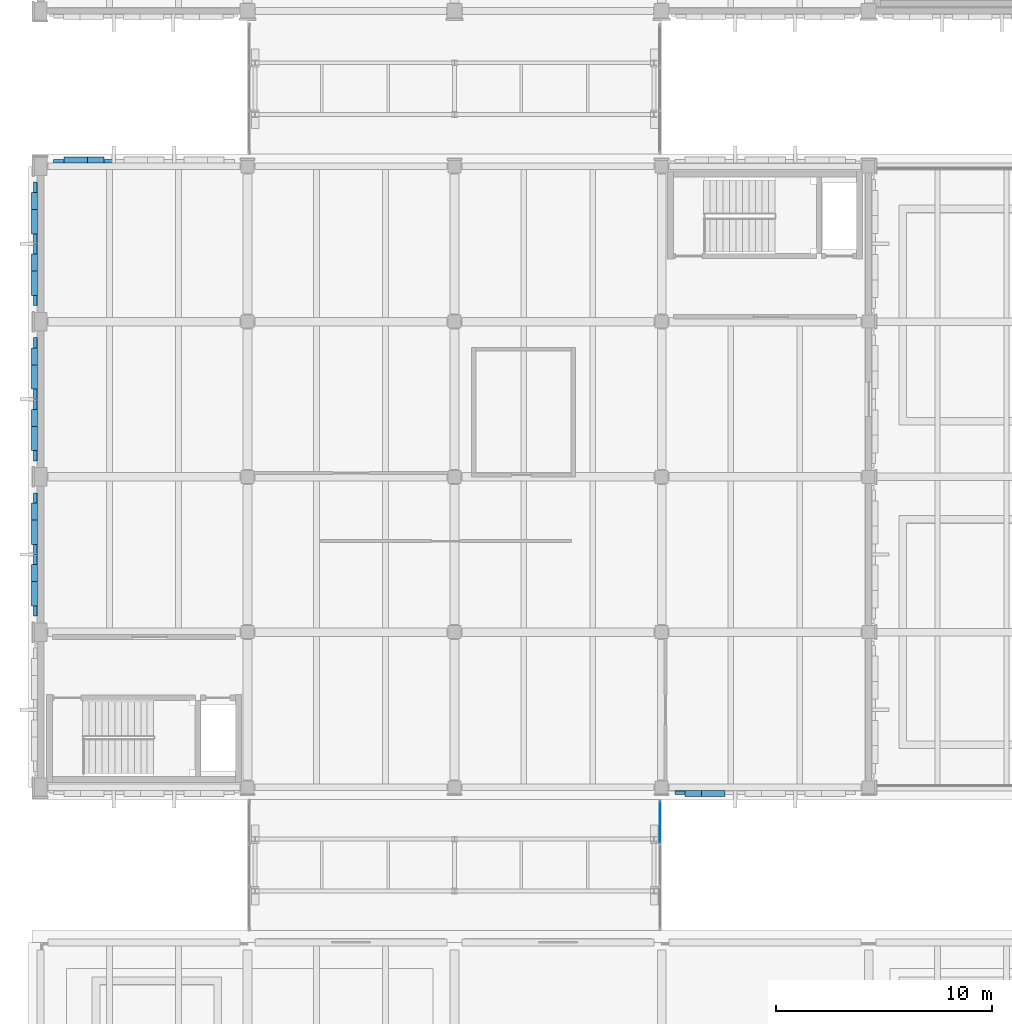
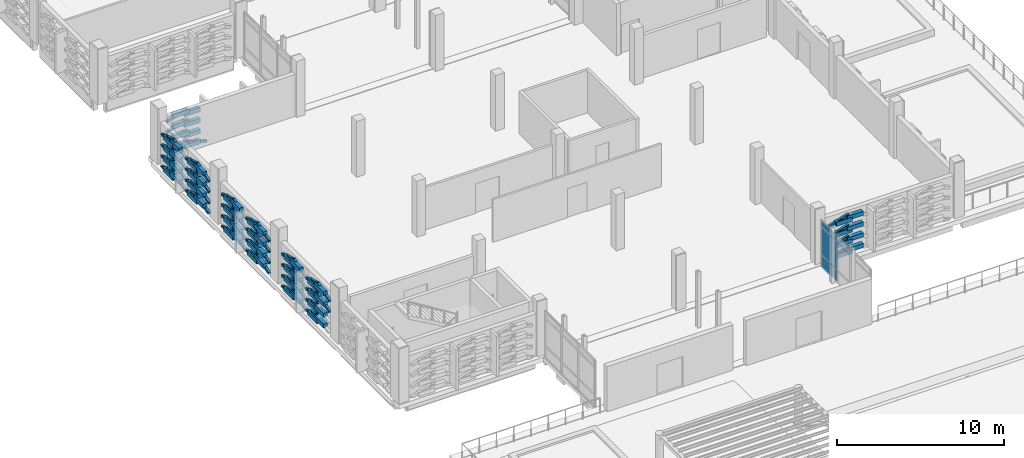
# One storey, part 90 of 134: 122 plates, 1 element without a shape of its own.
"""IFC4 building model written with IfcOpenShell, lengths in metres."""

from ifc_helpers import new_model, si_unit, direction, frame, origin, origin_2d, place, context, subcontext, project, spatial, rectangle, hollow_rectangle, extrude, material, layer, layer_set, material_profile, profile_set, type_object, element, aggregate, save


model = new_model("IFC4")

# Units and contexts
model_context = context("Model", 3, precision=1e-05, world=origin(), true_north=direction((0.0, 1.0)))
body_context = subcontext(model_context, "Body", "Model", "MODEL_VIEW")
ifc_project = project(units=[si_unit("LENGTHUNIT", "METRE"), si_unit("AREAUNIT", "SQUARE_METRE"), si_unit("VOLUMEUNIT", "CUBIC_METRE"), si_unit("PLANEANGLEUNIT", "RADIAN"), si_unit("MASSUNIT", "GRAM", prefix="KILO")], contexts=[model_context])

# Site, building, storey
site_placement = place(None, origin())
site = spatial("IfcSite", under=ifc_project, at=site_placement, CompositionType="ELEMENT")
building_placement = place(site_placement, origin())
building = spatial("IfcBuilding", under=site, at=building_placement, Name="Asteropetra Specialist Clinic", CompositionType="ELEMENT")
storey_placement = place(building_placement, frame((0.0, 0.0, 8.5)))
storey = spatial("IfcBuildingStorey", under=building, at=storey_placement, Name="L02", CompositionType="ELEMENT", Elevation=8.5)

# Plates
ifc_material_1 = material(Name="Chevron emerald aluminium 6063-T6", Category="aluminium")
ifc_material_profile = material_profile(ifc_material_1, hollow_rectangle(XDim=0.179931640625, YDim=0.179931640625, WallThickness=0.010009765625, InnerFilletRadius=0.008056640625, OuterFilletRadius=0.01611328125, at=origin_2d()), Name="SHS 180x180x10.0")
ifc_profile_set = profile_set([ifc_material_profile], Name="Chevron emerald aluminium 6063-T6")
plate_type_1 = type_object("IfcPlateType", Name="CHV-RIB-180", PredefinedType="SHEET", material=ifc_profile_set)
plate_1_placement = place(storey_placement, frame((3.38671875, 62.636962890625, 0.050048828125), z_axis=(-0.952488995782, 0.0, 0.304573000962), x_axis=(0.0, -1.0, 0.0)))
element("IfcPlate", 1, at=plate_1_placement, inside=storey, type_object=plate_type_1, Name="Chevron Facade Screen Fin CVR-1742", PredefinedType="SHEET", context=body_context, shape_type="SweptSolid", body=[
    extrude(hollow_rectangle(XDim=0.179931640625, YDim=0.179931640625, WallThickness=0.010009765625, InnerFilletRadius=0.008056640625, OuterFilletRadius=0.01611328125, at=origin_2d()), origin(), (0.0, 0.0, 1.0), 1.442138671875),
])
for number, where, z_axis, x_axis, name in (
    (2, (2.01318359375, 62.636962890625, 0.4892578125), (-0.952473286797, 0.0, -0.304622123191), (0.0, -1.0, 0.0), "Chevron Facade Screen Fin CVR-1743"),
    (3, (2.01318359375, 62.636962890625, 1.25927734375), (-0.952473286797, 0.0, -0.304622123191), (0.0, -1.0, 0.0), "Chevron Facade Screen Fin CVR-1745"),
    (4, (2.01318359375, 62.636962890625, 2.059326171875), (-0.952473286797, 0.0, -0.304622123191), (0.0, -1.0, 0.0), "Chevron Facade Screen Fin CVR-1747"),
    (5, (2.01318359375, 62.636962890625, 2.83935546875), (-0.952424147199, 0.0, -0.304775727104), (0.0, -1.0, 0.0), "Chevron Facade Screen Fin CVR-1749"),
    (6, (29.43994140625, 33.363037109375, 0.050048828125), (0.952473286797, 0.0, 0.304622123191), (0.0, 1.0, 0.0), "Chevron Facade Screen Fin CVR-1750"),
    (7, (29.43994140625, 33.363037109375, 0.820068359375), (0.952473286797, 0.0, 0.304622123191), (0.0, 1.0, 0.0), "Chevron Facade Screen Fin CVR-1752"),
    (8, (29.43994140625, 33.363037109375, 1.6201171875), (0.952473286797, 0.0, 0.304622123191), (0.0, 1.0, 0.0), "Chevron Facade Screen Fin CVR-1754"),
    (9, (29.43994140625, 33.363037109375, 2.39990234375), (0.952424147199, 0.0, 0.304775727104), (0.0, 1.0, 0.0), "Chevron Facade Screen Fin CVR-1756"),
):
    element("IfcPlate", number, at=place(storey_placement, frame(where, z_axis=z_axis, x_axis=x_axis)), inside=storey, type_object=plate_type_1, Name=name, PredefinedType="SHEET", context=body_context, shape_type="SweptSolid", body=[
        extrude(hollow_rectangle(XDim=0.179931640625, YDim=0.179931640625, WallThickness=0.010009765625, InnerFilletRadius=0.008056640625, OuterFilletRadius=0.01611328125, at=origin_2d()), origin(), (0.0, 0.0, 1.0), 1.44189453125),
    ])
plate_2_placement = place(storey_placement, frame((-0.237060546875, 47.235107421875, 0.050048828125), z_axis=(0.0, -0.952525753893, 0.30445802366), x_axis=(1.0, 0.0, 0.0)))
element("IfcPlate", 10, at=plate_2_placement, inside=storey, type_object=plate_type_1, Name="Chevron Facade Screen Fin CVR-1830", PredefinedType="SHEET", context=body_context, shape_type="SweptSolid", body=[
    extrude(hollow_rectangle(XDim=0.179931640625, YDim=0.179931640625, WallThickness=0.010009765625, InnerFilletRadius=0.008056640625, OuterFilletRadius=0.01611328125, at=origin_2d()), origin(), (0.0, 0.0, 1.0), 1.477783203125),
])
plate_3_placement = place(storey_placement, frame((-0.237060546875, 45.827392578125, 0.5), z_axis=(0.0, -0.952510437396, -0.304505938616), x_axis=(1.0, 0.0, 0.0)))
element("IfcPlate", 11, at=plate_3_placement, inside=storey, type_object=plate_type_1, Name="Chevron Facade Screen Fin CVR-1831", PredefinedType="SHEET", context=body_context, shape_type="SweptSolid", body=[
    extrude(hollow_rectangle(XDim=0.179931640625, YDim=0.179931640625, WallThickness=0.010009765625, InnerFilletRadius=0.008056640625, OuterFilletRadius=0.01611328125, at=origin_2d()), origin(), (0.0, 0.0, 1.0), 1.4775390625),
])
plate_4_placement = place(storey_placement, frame((-0.237060546875, 47.235107421875, 0.820068359375), z_axis=(0.0, -0.952525753893, 0.30445802366), x_axis=(1.0, 0.0, 0.0)))
element("IfcPlate", 12, at=plate_4_placement, inside=storey, type_object=plate_type_1, Name="Chevron Facade Screen Fin CVR-1832", PredefinedType="SHEET", context=body_context, shape_type="SweptSolid", body=[
    extrude(hollow_rectangle(XDim=0.179931640625, YDim=0.179931640625, WallThickness=0.010009765625, InnerFilletRadius=0.008056640625, OuterFilletRadius=0.01611328125, at=origin_2d()), origin(), (0.0, 0.0, 1.0), 1.477783203125),
])
plate_5_placement = place(storey_placement, frame((-0.237060546875, 45.827392578125, 1.27001953125), z_axis=(0.0, -0.952510437396, -0.304505938616), x_axis=(1.0, 0.0, 0.0)))
element("IfcPlate", 13, at=plate_5_placement, inside=storey, type_object=plate_type_1, Name="Chevron Facade Screen Fin CVR-1833", PredefinedType="SHEET", context=body_context, shape_type="SweptSolid", body=[
    extrude(hollow_rectangle(XDim=0.179931640625, YDim=0.179931640625, WallThickness=0.010009765625, InnerFilletRadius=0.008056640625, OuterFilletRadius=0.01611328125, at=origin_2d()), origin(), (0.0, 0.0, 1.0), 1.4775390625),
])
plate_6_placement = place(storey_placement, frame((-0.237060546875, 47.235107421875, 1.6201171875), z_axis=(0.0, -0.952525753893, 0.30445802366), x_axis=(1.0, 0.0, 0.0)))
element("IfcPlate", 14, at=plate_6_placement, inside=storey, type_object=plate_type_1, Name="Chevron Facade Screen Fin CVR-1834", PredefinedType="SHEET", context=body_context, shape_type="SweptSolid", body=[
    extrude(hollow_rectangle(XDim=0.179931640625, YDim=0.179931640625, WallThickness=0.010009765625, InnerFilletRadius=0.008056640625, OuterFilletRadius=0.01611328125, at=origin_2d()), origin(), (0.0, 0.0, 1.0), 1.477783203125),
])
plate_7_placement = place(storey_placement, frame((-0.237060546875, 45.827392578125, 2.070068359375), z_axis=(0.0, -0.952510437396, -0.304505938616), x_axis=(1.0, 0.0, 0.0)))
element("IfcPlate", 15, at=plate_7_placement, inside=storey, type_object=plate_type_1, Name="Chevron Facade Screen Fin CVR-1835", PredefinedType="SHEET", context=body_context, shape_type="SweptSolid", body=[
    extrude(hollow_rectangle(XDim=0.179931640625, YDim=0.179931640625, WallThickness=0.010009765625, InnerFilletRadius=0.008056640625, OuterFilletRadius=0.01611328125, at=origin_2d()), origin(), (0.0, 0.0, 1.0), 1.4775390625),
])
plate_8_placement = place(storey_placement, frame((-0.237060546875, 47.235107421875, 2.39990234375), z_axis=(0.0, -0.95247783671, 0.304607896444), x_axis=(1.0, 0.0, 0.0)))
element("IfcPlate", 16, at=plate_8_placement, inside=storey, type_object=plate_type_1, Name="Chevron Facade Screen Fin CVR-1836", PredefinedType="SHEET", context=body_context, shape_type="SweptSolid", body=[
    extrude(hollow_rectangle(XDim=0.179931640625, YDim=0.179931640625, WallThickness=0.010009765625, InnerFilletRadius=0.008056640625, OuterFilletRadius=0.01611328125, at=origin_2d()), origin(), (0.0, 0.0, 1.0), 1.47802734375),
])
plate_9_placement = place(storey_placement, frame((-0.237060546875, 45.827392578125, 2.85009765625), z_axis=(0.0, -0.952462505902, -0.304655830162), x_axis=(1.0, 0.0, 0.0)))
element("IfcPlate", 17, at=plate_9_placement, inside=storey, type_object=plate_type_1, Name="Chevron Facade Screen Fin CVR-1837", PredefinedType="SHEET", context=body_context, shape_type="SweptSolid", body=[
    extrude(hollow_rectangle(XDim=0.179931640625, YDim=0.179931640625, WallThickness=0.010009765625, InnerFilletRadius=0.008056640625, OuterFilletRadius=0.01611328125, at=origin_2d()), origin(), (0.0, 0.0, 1.0), 1.477783203125),
])
for number, where, z_axis, x_axis, name in (
    (18, (-0.237060546875, 44.3798828125, 0.050048828125), (0.0, -0.952510437396, 0.304505938616), (1.0, 0.0, 0.0), "Chevron Facade Screen Fin CVR-1838"),
    (19, (-0.237060546875, 44.3798828125, 0.820068359375), (0.0, -0.952510437396, 0.304505938616), (1.0, 0.0, 0.0), "Chevron Facade Screen Fin CVR-1840"),
    (20, (-0.237060546875, 44.3798828125, 1.6201171875), (0.0, -0.952510437396, 0.304505938616), (1.0, 0.0, 0.0), "Chevron Facade Screen Fin CVR-1842"),
    (21, (-0.237060546875, 42.972412109375, 2.070068359375), (0.0, -0.952510437396, -0.304505938616), (1.0, 0.0, 0.0), "Chevron Facade Screen Fin CVR-1843"),
):
    element("IfcPlate", number, at=place(storey_placement, frame(where, z_axis=z_axis, x_axis=x_axis)), inside=storey, type_object=plate_type_1, Name=name, PredefinedType="SHEET", context=body_context, shape_type="SweptSolid", body=[
        extrude(hollow_rectangle(XDim=0.179931640625, YDim=0.179931640625, WallThickness=0.010009765625, InnerFilletRadius=0.008056640625, OuterFilletRadius=0.01611328125, at=origin_2d()), origin(), (0.0, 0.0, 1.0), 1.4775390625),
    ])
for number, where, z_axis, x_axis, name in (
    (22, (-0.237060546875, 44.3798828125, 2.39990234375), (0.0, -0.952462505902, 0.304655830162), (1.0, 0.0, 0.0), "Chevron Facade Screen Fin CVR-1844"),
    (23, (-0.237060546875, 42.972412109375, 2.85009765625), (0.0, -0.952462505902, -0.304655830162), (1.0, 0.0, 0.0), "Chevron Facade Screen Fin CVR-1845"),
):
    element("IfcPlate", number, at=place(storey_placement, frame(where, z_axis=z_axis, x_axis=x_axis)), inside=storey, type_object=plate_type_1, Name=name, PredefinedType="SHEET", context=body_context, shape_type="SweptSolid", body=[
        extrude(hollow_rectangle(XDim=0.179931640625, YDim=0.179931640625, WallThickness=0.010009765625, InnerFilletRadius=0.008056640625, OuterFilletRadius=0.01611328125, at=origin_2d()), origin(), (0.0, 0.0, 1.0), 1.477783203125),
    ])
for number, where, z_axis, x_axis, name in (
    (24, (-0.237060546875, 54.43505859375, 0.050048828125), (0.0, -0.952510437396, 0.304505938616), (1.0, 0.0, 0.0), "Chevron Facade Screen Fin CVR-1862"),
    (25, (-0.237060546875, 53.027587890625, 0.5), (0.0, -0.952510437396, -0.304505938616), (1.0, 0.0, 0.0), "Chevron Facade Screen Fin CVR-1863"),
    (26, (-0.237060546875, 54.43505859375, 0.820068359375), (0.0, -0.952510437396, 0.304505938616), (1.0, 0.0, 0.0), "Chevron Facade Screen Fin CVR-1864"),
    (27, (-0.237060546875, 53.027587890625, 1.27001953125), (0.0, -0.952510437396, -0.304505938616), (1.0, 0.0, 0.0), "Chevron Facade Screen Fin CVR-1865"),
    (28, (-0.237060546875, 54.43505859375, 1.6201171875), (0.0, -0.952510437396, 0.304505938616), (1.0, 0.0, 0.0), "Chevron Facade Screen Fin CVR-1866"),
    (29, (-0.237060546875, 53.027587890625, 2.070068359375), (0.0, -0.952510437396, -0.304505938616), (1.0, 0.0, 0.0), "Chevron Facade Screen Fin CVR-1867"),
):
    element("IfcPlate", number, at=place(storey_placement, frame(where, z_axis=z_axis, x_axis=x_axis)), inside=storey, type_object=plate_type_1, Name=name, PredefinedType="SHEET", context=body_context, shape_type="SweptSolid", body=[
        extrude(hollow_rectangle(XDim=0.179931640625, YDim=0.179931640625, WallThickness=0.010009765625, InnerFilletRadius=0.008056640625, OuterFilletRadius=0.01611328125, at=origin_2d()), origin(), (0.0, 0.0, 1.0), 1.4775390625),
    ])
for number, where, z_axis, x_axis, name in (
    (30, (-0.237060546875, 54.43505859375, 2.39990234375), (0.0, -0.952462505902, 0.304655830162), (1.0, 0.0, 0.0), "Chevron Facade Screen Fin CVR-1868"),
    (31, (-0.237060546875, 53.027587890625, 2.85009765625), (0.0, -0.952462505902, -0.304655830162), (1.0, 0.0, 0.0), "Chevron Facade Screen Fin CVR-1869"),
):
    element("IfcPlate", number, at=place(storey_placement, frame(where, z_axis=z_axis, x_axis=x_axis)), inside=storey, type_object=plate_type_1, Name=name, PredefinedType="SHEET", context=body_context, shape_type="SweptSolid", body=[
        extrude(hollow_rectangle(XDim=0.179931640625, YDim=0.179931640625, WallThickness=0.010009765625, InnerFilletRadius=0.008056640625, OuterFilletRadius=0.01611328125, at=origin_2d()), origin(), (0.0, 0.0, 1.0), 1.477783203125),
    ])
plate_10_placement = place(storey_placement, frame((-0.237060546875, 51.580078125, 0.050048828125), z_axis=(0.0, -0.952510437396, 0.304505938616), x_axis=(1.0, 0.0, 0.0)))
element("IfcPlate", 32, at=plate_10_placement, inside=storey, type_object=plate_type_1, Name="Chevron Facade Screen Fin CVR-1870", PredefinedType="SHEET", context=body_context, shape_type="SweptSolid", body=[
    extrude(hollow_rectangle(XDim=0.179931640625, YDim=0.179931640625, WallThickness=0.010009765625, InnerFilletRadius=0.008056640625, OuterFilletRadius=0.01611328125, at=origin_2d()), origin(), (0.0, 0.0, 1.0), 1.4775390625),
])
plate_11_placement = place(storey_placement, frame((-0.237060546875, 50.172607421875, 0.5), z_axis=(0.0, -0.952525753893, -0.30445802366), x_axis=(1.0, 0.0, 0.0)))
element("IfcPlate", 33, at=plate_11_placement, inside=storey, type_object=plate_type_1, Name="Chevron Facade Screen Fin CVR-1871", PredefinedType="SHEET", context=body_context, shape_type="SweptSolid", body=[
    extrude(hollow_rectangle(XDim=0.179931640625, YDim=0.179931640625, WallThickness=0.010009765625, InnerFilletRadius=0.008056640625, OuterFilletRadius=0.01611328125, at=origin_2d()), origin(), (0.0, 0.0, 1.0), 1.477783203125),
])
plate_12_placement = place(storey_placement, frame((-0.237060546875, 51.580078125, 0.820068359375), z_axis=(0.0, -0.952510437396, 0.304505938616), x_axis=(1.0, 0.0, 0.0)))
element("IfcPlate", 34, at=plate_12_placement, inside=storey, type_object=plate_type_1, Name="Chevron Facade Screen Fin CVR-1872", PredefinedType="SHEET", context=body_context, shape_type="SweptSolid", body=[
    extrude(hollow_rectangle(XDim=0.179931640625, YDim=0.179931640625, WallThickness=0.010009765625, InnerFilletRadius=0.008056640625, OuterFilletRadius=0.01611328125, at=origin_2d()), origin(), (0.0, 0.0, 1.0), 1.4775390625),
])
plate_13_placement = place(storey_placement, frame((-0.237060546875, 50.172607421875, 1.27001953125), z_axis=(0.0, -0.952525753893, -0.30445802366), x_axis=(1.0, 0.0, 0.0)))
element("IfcPlate", 35, at=plate_13_placement, inside=storey, type_object=plate_type_1, Name="Chevron Facade Screen Fin CVR-1873", PredefinedType="SHEET", context=body_context, shape_type="SweptSolid", body=[
    extrude(hollow_rectangle(XDim=0.179931640625, YDim=0.179931640625, WallThickness=0.010009765625, InnerFilletRadius=0.008056640625, OuterFilletRadius=0.01611328125, at=origin_2d()), origin(), (0.0, 0.0, 1.0), 1.477783203125),
])
plate_14_placement = place(storey_placement, frame((-0.237060546875, 51.580078125, 1.6201171875), z_axis=(0.0, -0.952510437396, 0.304505938616), x_axis=(1.0, 0.0, 0.0)))
element("IfcPlate", 36, at=plate_14_placement, inside=storey, type_object=plate_type_1, Name="Chevron Facade Screen Fin CVR-1874", PredefinedType="SHEET", context=body_context, shape_type="SweptSolid", body=[
    extrude(hollow_rectangle(XDim=0.179931640625, YDim=0.179931640625, WallThickness=0.010009765625, InnerFilletRadius=0.008056640625, OuterFilletRadius=0.01611328125, at=origin_2d()), origin(), (0.0, 0.0, 1.0), 1.4775390625),
])
for number, where, z_axis, x_axis, name in (
    (37, (-0.237060546875, 50.172607421875, 2.070068359375), (0.0, -0.952525753893, -0.30445802366), (1.0, 0.0, 0.0), "Chevron Facade Screen Fin CVR-1875"),
    (38, (-0.237060546875, 51.580078125, 2.39990234375), (0.0, -0.952462505902, 0.304655830162), (1.0, 0.0, 0.0), "Chevron Facade Screen Fin CVR-1876"),
):
    element("IfcPlate", number, at=place(storey_placement, frame(where, z_axis=z_axis, x_axis=x_axis)), inside=storey, type_object=plate_type_1, Name=name, PredefinedType="SHEET", context=body_context, shape_type="SweptSolid", body=[
        extrude(hollow_rectangle(XDim=0.179931640625, YDim=0.179931640625, WallThickness=0.010009765625, InnerFilletRadius=0.008056640625, OuterFilletRadius=0.01611328125, at=origin_2d()), origin(), (0.0, 0.0, 1.0), 1.477783203125),
    ])
plate_15_placement = place(storey_placement, frame((-0.237060546875, 50.172607421875, 2.85009765625), z_axis=(0.0, -0.95247783671, -0.304607896444), x_axis=(1.0, 0.0, 0.0)))
element("IfcPlate", 39, at=plate_15_placement, inside=storey, type_object=plate_type_1, Name="Chevron Facade Screen Fin CVR-1877", PredefinedType="SHEET", context=body_context, shape_type="SweptSolid", body=[
    extrude(hollow_rectangle(XDim=0.179931640625, YDim=0.179931640625, WallThickness=0.010009765625, InnerFilletRadius=0.008056640625, OuterFilletRadius=0.01611328125, at=origin_2d()), origin(), (0.0, 0.0, 1.0), 1.47802734375),
])
for number, where, z_axis, x_axis, name in (
    (40, (-0.237060546875, 61.635009765625, 0.050048828125), (0.0, -0.952510437396, 0.304505938616), (1.0, 0.0, 0.0), "Chevron Facade Screen Fin CVR-1882"),
    (41, (-0.237060546875, 60.2275390625, 0.5), (0.0, -0.952510437396, -0.304505938616), (1.0, 0.0, 0.0), "Chevron Facade Screen Fin CVR-1883"),
    (42, (-0.237060546875, 61.635009765625, 0.820068359375), (0.0, -0.952510437396, 0.304505938616), (1.0, 0.0, 0.0), "Chevron Facade Screen Fin CVR-1884"),
    (43, (-0.237060546875, 60.2275390625, 1.27001953125), (0.0, -0.952510437396, -0.304505938616), (1.0, 0.0, 0.0), "Chevron Facade Screen Fin CVR-1885"),
    (44, (-0.237060546875, 61.635009765625, 1.6201171875), (0.0, -0.952510437396, 0.304505938616), (1.0, 0.0, 0.0), "Chevron Facade Screen Fin CVR-1886"),
    (45, (-0.237060546875, 60.2275390625, 2.070068359375), (0.0, -0.952510437396, -0.304505938616), (1.0, 0.0, 0.0), "Chevron Facade Screen Fin CVR-1887"),
):
    element("IfcPlate", number, at=place(storey_placement, frame(where, z_axis=z_axis, x_axis=x_axis)), inside=storey, type_object=plate_type_1, Name=name, PredefinedType="SHEET", context=body_context, shape_type="SweptSolid", body=[
        extrude(hollow_rectangle(XDim=0.179931640625, YDim=0.179931640625, WallThickness=0.010009765625, InnerFilletRadius=0.008056640625, OuterFilletRadius=0.01611328125, at=origin_2d()), origin(), (0.0, 0.0, 1.0), 1.4775390625),
    ])
for number, where, z_axis, x_axis, name in (
    (46, (-0.237060546875, 61.635009765625, 2.39990234375), (0.0, -0.952462505902, 0.304655830162), (1.0, 0.0, 0.0), "Chevron Facade Screen Fin CVR-1888"),
    (47, (-0.237060546875, 60.2275390625, 2.85009765625), (0.0, -0.952462505902, -0.304655830162), (1.0, 0.0, 0.0), "Chevron Facade Screen Fin CVR-1889"),
):
    element("IfcPlate", number, at=place(storey_placement, frame(where, z_axis=z_axis, x_axis=x_axis)), inside=storey, type_object=plate_type_1, Name=name, PredefinedType="SHEET", context=body_context, shape_type="SweptSolid", body=[
        extrude(hollow_rectangle(XDim=0.179931640625, YDim=0.179931640625, WallThickness=0.010009765625, InnerFilletRadius=0.008056640625, OuterFilletRadius=0.01611328125, at=origin_2d()), origin(), (0.0, 0.0, 1.0), 1.477783203125),
    ])
for number, where, z_axis, x_axis, name in (
    (48, (-0.237060546875, 58.780029296875, 0.050048828125), (0.0, -0.952510437396, 0.304505938616), (1.0, 0.0, 0.0), "Chevron Facade Screen Fin CVR-1890"),
    (49, (-0.237060546875, 57.37255859375, 0.5), (0.0, -0.952510437396, -0.304505938616), (1.0, 0.0, 0.0), "Chevron Facade Screen Fin CVR-1891"),
    (50, (-0.237060546875, 58.780029296875, 0.820068359375), (0.0, -0.952510437396, 0.304505938616), (1.0, 0.0, 0.0), "Chevron Facade Screen Fin CVR-1892"),
    (51, (-0.237060546875, 57.37255859375, 1.27001953125), (0.0, -0.952510437396, -0.304505938616), (1.0, 0.0, 0.0), "Chevron Facade Screen Fin CVR-1893"),
    (52, (-0.237060546875, 58.780029296875, 1.6201171875), (0.0, -0.952510437396, 0.304505938616), (1.0, 0.0, 0.0), "Chevron Facade Screen Fin CVR-1894"),
    (53, (-0.237060546875, 57.37255859375, 2.070068359375), (0.0, -0.952510437396, -0.304505938616), (1.0, 0.0, 0.0), "Chevron Facade Screen Fin CVR-1895"),
):
    element("IfcPlate", number, at=place(storey_placement, frame(where, z_axis=z_axis, x_axis=x_axis)), inside=storey, type_object=plate_type_1, Name=name, PredefinedType="SHEET", context=body_context, shape_type="SweptSolid", body=[
        extrude(hollow_rectangle(XDim=0.179931640625, YDim=0.179931640625, WallThickness=0.010009765625, InnerFilletRadius=0.008056640625, OuterFilletRadius=0.01611328125, at=origin_2d()), origin(), (0.0, 0.0, 1.0), 1.4775390625),
    ])
for number, where, z_axis, x_axis, name in (
    (54, (-0.237060546875, 58.780029296875, 2.39990234375), (0.0, -0.952462505902, 0.304655830162), (1.0, 0.0, 0.0), "Chevron Facade Screen Fin CVR-1896"),
    (55, (-0.237060546875, 57.37255859375, 2.85009765625), (0.0, -0.952462505902, -0.304655830162), (1.0, 0.0, 0.0), "Chevron Facade Screen Fin CVR-1897"),
):
    element("IfcPlate", number, at=place(storey_placement, frame(where, z_axis=z_axis, x_axis=x_axis)), inside=storey, type_object=plate_type_1, Name=name, PredefinedType="SHEET", context=body_context, shape_type="SweptSolid", body=[
        extrude(hollow_rectangle(XDim=0.179931640625, YDim=0.179931640625, WallThickness=0.010009765625, InnerFilletRadius=0.008056640625, OuterFilletRadius=0.01611328125, at=origin_2d()), origin(), (0.0, 0.0, 1.0), 1.477783203125),
    ])

# Curtain wall, plates
ifc_material_2 = material(Name="Aluminium and low-E glass", Category="aluminium")
ifc_layer_1 = layer(ifc_material_2, 0.14990234375)
ifc_layer_set_1 = layer_set([ifc_layer_1], Name="Aluminium and low-E glass")
curtain_wall_type = type_object("IfcCurtainWallType", Name="CW-SYS-08", PredefinedType="USERDEFINED", material=ifc_layer_set_1)
curtain_wall_placement = place(storey_placement, origin())
curtain_wall = element("IfcCurtainWall", 56, at=curtain_wall_placement, inside=storey, type_object=curtain_wall_type, Name="Curtain Wall CW-100", ObjectType="STICK GLAZED COLONNADE", PredefinedType="USERDEFINED")
ifc_material_3 = material(Name="Low-E double glazing", Category="glass")
ifc_layer_2 = layer(ifc_material_3, 0.028076171875)
ifc_layer_set_2 = layer_set([ifc_layer_2], Name="Low-E double glazing")
plate_type_2 = type_object("IfcPlateType", Name="CWP-GLZ-28", PredefinedType="CURTAIN_PANEL", material=ifc_layer_set_2)
plate_16_placement = place(storey_placement, frame((28.719970703125, 31.97705078125, 0.06494140625), z_axis=(0.0, 0.0, 1.0), x_axis=(0.0, -1.0, 0.0)))
plate_16 = element("IfcPlate", 57, at=plate_16_placement, type_object=plate_type_2, Name="CW-100 panel 1.1", PredefinedType="CURTAIN_PANEL", context=body_context, shape_type="SweptSolid", body=[
    extrude(rectangle(XDim=1.895751953125, YDim=0.028076171875, at=origin_2d()), origin(), (0.0, 0.0, 1.0), 0.802490234375),
])
plate_17_placement = place(storey_placement, frame((28.719970703125, 31.97705078125, 0.9326171875), z_axis=(0.0, 0.0, 1.0), x_axis=(0.0, -1.0, 0.0)))
plate_17 = element("IfcPlate", 58, at=plate_17_placement, type_object=plate_type_2, Name="CW-100 panel 1.2", PredefinedType="CURTAIN_PANEL", context=body_context, shape_type="SweptSolid", body=[
    extrude(rectangle(XDim=1.895751953125, YDim=0.028076171875, at=origin_2d()), origin(), (0.0, 0.0, 1.0), 1.965087890625),
])
plate_18_placement = place(storey_placement, frame((28.719970703125, 31.97705078125, 2.96240234375), z_axis=(0.0, 0.0, 1.0), x_axis=(0.0, -1.0, 0.0)))
plate_18 = element("IfcPlate", 59, at=plate_18_placement, type_object=plate_type_2, Name="CW-100 panel 1.3", PredefinedType="CURTAIN_PANEL", context=body_context, shape_type="SweptSolid", body=[
    extrude(rectangle(XDim=1.895751953125, YDim=0.028076171875, at=origin_2d()), origin(), (0.0, 0.0, 1.0), 0.402587890625),
])
aggregate(curtain_wall, [plate_16, plate_17, plate_18])

# Plates
ifc_material_4 = material(Name="Aluminium 6063-T6", Category="aluminium")
ifc_layer_3 = layer(ifc_material_4, 0.139892578125)
ifc_layer_set_3 = layer_set([ifc_layer_3], Name="Aluminium 6063-T6")
plate_type_3 = type_object("IfcPlateType", Name="PLT-CHV-TILE", PredefinedType="SHEET", material=ifc_layer_set_3)
for number, where, z_axis, x_axis, name in (
    (60, (2.39794921875, 62.68505859375, 0.03173828125), (0.0, 0.0, 1.0), (1.0, 0.0, 0.0), "Chevron Ceramic Panel CPT-1393"),
    (61, (1.62890625, 62.68505859375, 0.19873046875), (0.0, 0.0, 1.0), (1.0, 0.0, 0.0), "Chevron Ceramic Panel CPT-1394"),
    (62, (2.39794921875, 62.68505859375, 0.8017578125), (0.0, 0.0, 1.0), (1.0, 0.0, 0.0), "Chevron Ceramic Panel CPT-1395"),
    (63, (1.62890625, 62.68505859375, 0.96875), (0.0, 0.0, 1.0), (1.0, 0.0, 0.0), "Chevron Ceramic Panel CPT-1396"),
    (64, (2.39794921875, 62.68505859375, 1.6015625), (0.0, 0.0, 1.0), (1.0, 0.0, 0.0), "Chevron Ceramic Panel CPT-1397"),
    (65, (1.62890625, 62.68505859375, 1.7685546875), (0.0, 0.0, 1.0), (1.0, 0.0, 0.0), "Chevron Ceramic Panel CPT-1398"),
    (66, (2.39794921875, 62.68505859375, 2.3818359375), (0.0, 0.0, 1.0), (1.0, 0.0, 0.0), "Chevron Ceramic Panel CPT-1399"),
    (67, (1.62890625, 62.68505859375, 2.548828125), (0.0, 0.0, 1.0), (1.0, 0.0, 0.0), "Chevron Ceramic Panel CPT-1400"),
    (68, (30.4287109375, 33.31494140625, 0.03173828125), (0.0, 0.0, 1.0), (1.0, 0.0, 0.0), "Chevron Ceramic Panel CPT-1401"),
    (69, (31.197998046875, 33.31494140625, 0.19873046875), (0.0, 0.0, 1.0), (1.0, 0.0, 0.0), "Chevron Ceramic Panel CPT-1402"),
    (70, (30.4287109375, 33.31494140625, 0.8017578125), (0.0, 0.0, 1.0), (1.0, 0.0, 0.0), "Chevron Ceramic Panel CPT-1403"),
    (71, (31.197998046875, 33.31494140625, 0.96875), (0.0, 0.0, 1.0), (1.0, 0.0, 0.0), "Chevron Ceramic Panel CPT-1404"),
    (72, (30.4287109375, 33.31494140625, 1.6015625), (0.0, 0.0, 1.0), (1.0, 0.0, 0.0), "Chevron Ceramic Panel CPT-1405"),
    (73, (31.197998046875, 33.31494140625, 1.7685546875), (0.0, 0.0, 1.0), (1.0, 0.0, 0.0), "Chevron Ceramic Panel CPT-1406"),
    (74, (30.4287109375, 33.31494140625, 2.3818359375), (0.0, 0.0, 1.0), (1.0, 0.0, 0.0), "Chevron Ceramic Panel CPT-1407"),
    (75, (31.197998046875, 33.31494140625, 2.548828125), (0.0, 0.0, 1.0), (1.0, 0.0, 0.0), "Chevron Ceramic Panel CPT-1408"),
):
    element("IfcPlate", number, at=place(storey_placement, frame(where, z_axis=z_axis, x_axis=x_axis)), inside=storey, type_object=plate_type_3, Name=name, PredefinedType="SHEET", context=body_context, shape_type="SweptSolid", body=[
        extrude(rectangle(XDim=1.09912109375, YDim=0.280029296875, at=origin_2d()), origin(), (0.0, 0.0, 1.0), 0.300048828125),
    ])
for number, where, z_axis, x_axis, name in (
    (76, (-0.284912109375, 46.2216796875, 0.03515625), (0.0, 0.0, 1.0), (1.0, 0.0, 0.0), "Chevron Ceramic Panel CPT-1481"),
    (77, (-0.284912109375, 45.433349609375, 0.2060546875), (0.0, 0.0, 1.0), (1.0, 0.0, 0.0), "Chevron Ceramic Panel CPT-1482"),
    (78, (-0.284912109375, 46.2216796875, 0.80517578125), (0.0, 0.0, 1.0), (1.0, 0.0, 0.0), "Chevron Ceramic Panel CPT-1483"),
    (79, (-0.284912109375, 45.433349609375, 0.97607421875), (0.0, 0.0, 1.0), (1.0, 0.0, 0.0), "Chevron Ceramic Panel CPT-1484"),
    (80, (-0.284912109375, 46.2216796875, 1.60498046875), (0.0, 0.0, 1.0), (1.0, 0.0, 0.0), "Chevron Ceramic Panel CPT-1485"),
    (81, (-0.284912109375, 45.433349609375, 1.77587890625), (0.0, 0.0, 1.0), (1.0, 0.0, 0.0), "Chevron Ceramic Panel CPT-1486"),
    (82, (-0.284912109375, 46.2216796875, 2.384765625), (0.0, 0.0, 1.0), (1.0, 0.0, 0.0), "Chevron Ceramic Panel CPT-1487"),
    (83, (-0.284912109375, 45.433349609375, 2.55615234375), (0.0, 0.0, 1.0), (1.0, 0.0, 0.0), "Chevron Ceramic Panel CPT-1488"),
    (84, (-0.284912109375, 43.36669921875, 0.03515625), (0.0, 0.0, 1.0), (1.0, 0.0, 0.0), "Chevron Ceramic Panel CPT-1489"),
    (85, (-0.284912109375, 42.578369140625, 0.2060546875), (0.0, 0.0, 1.0), (1.0, 0.0, 0.0), "Chevron Ceramic Panel CPT-1490"),
    (86, (-0.284912109375, 43.36669921875, 0.80517578125), (0.0, 0.0, 1.0), (1.0, 0.0, 0.0), "Chevron Ceramic Panel CPT-1491"),
    (87, (-0.284912109375, 42.578369140625, 0.97607421875), (0.0, 0.0, 1.0), (1.0, 0.0, 0.0), "Chevron Ceramic Panel CPT-1492"),
    (88, (-0.284912109375, 43.36669921875, 1.60498046875), (0.0, 0.0, 1.0), (1.0, 0.0, 0.0), "Chevron Ceramic Panel CPT-1493"),
    (89, (-0.284912109375, 42.578369140625, 1.77587890625), (0.0, 0.0, 1.0), (1.0, 0.0, 0.0), "Chevron Ceramic Panel CPT-1494"),
    (90, (-0.284912109375, 43.36669921875, 2.384765625), (0.0, 0.0, 1.0), (1.0, 0.0, 0.0), "Chevron Ceramic Panel CPT-1495"),
    (91, (-0.284912109375, 42.578369140625, 2.55615234375), (0.0, 0.0, 1.0), (1.0, 0.0, 0.0), "Chevron Ceramic Panel CPT-1496"),
    (92, (-0.284912109375, 53.421630859375, 0.03515625), (0.0, 0.0, 1.0), (1.0, 0.0, 0.0), "Chevron Ceramic Panel CPT-1513"),
    (93, (-0.284912109375, 52.63330078125, 0.2060546875), (0.0, 0.0, 1.0), (1.0, 0.0, 0.0), "Chevron Ceramic Panel CPT-1514"),
    (94, (-0.284912109375, 53.421630859375, 0.80517578125), (0.0, 0.0, 1.0), (1.0, 0.0, 0.0), "Chevron Ceramic Panel CPT-1515"),
    (95, (-0.284912109375, 52.63330078125, 0.97607421875), (0.0, 0.0, 1.0), (1.0, 0.0, 0.0), "Chevron Ceramic Panel CPT-1516"),
    (96, (-0.284912109375, 53.421630859375, 1.60498046875), (0.0, 0.0, 1.0), (1.0, 0.0, 0.0), "Chevron Ceramic Panel CPT-1517"),
    (97, (-0.284912109375, 52.63330078125, 1.77587890625), (0.0, 0.0, 1.0), (1.0, 0.0, 0.0), "Chevron Ceramic Panel CPT-1518"),
    (98, (-0.284912109375, 53.421630859375, 2.384765625), (0.0, 0.0, 1.0), (1.0, 0.0, 0.0), "Chevron Ceramic Panel CPT-1519"),
    (99, (-0.284912109375, 52.63330078125, 2.55615234375), (0.0, 0.0, 1.0), (1.0, 0.0, 0.0), "Chevron Ceramic Panel CPT-1520"),
    (100, (-0.284912109375, 50.566650390625, 0.03515625), (0.0, 0.0, 1.0), (1.0, 0.0, 0.0), "Chevron Ceramic Panel CPT-1521"),
    (101, (-0.284912109375, 49.7783203125, 0.2060546875), (0.0, 0.0, 1.0), (1.0, 0.0, 0.0), "Chevron Ceramic Panel CPT-1522"),
    (102, (-0.284912109375, 50.566650390625, 0.80517578125), (0.0, 0.0, 1.0), (1.0, 0.0, 0.0), "Chevron Ceramic Panel CPT-1523"),
    (103, (-0.284912109375, 49.7783203125, 0.97607421875), (0.0, 0.0, 1.0), (1.0, 0.0, 0.0), "Chevron Ceramic Panel CPT-1524"),
    (104, (-0.284912109375, 50.566650390625, 1.60498046875), (0.0, 0.0, 1.0), (1.0, 0.0, 0.0), "Chevron Ceramic Panel CPT-1525"),
    (105, (-0.284912109375, 49.7783203125, 1.77587890625), (0.0, 0.0, 1.0), (1.0, 0.0, 0.0), "Chevron Ceramic Panel CPT-1526"),
    (106, (-0.284912109375, 50.566650390625, 2.384765625), (0.0, 0.0, 1.0), (1.0, 0.0, 0.0), "Chevron Ceramic Panel CPT-1527"),
    (107, (-0.284912109375, 49.7783203125, 2.55615234375), (0.0, 0.0, 1.0), (1.0, 0.0, 0.0), "Chevron Ceramic Panel CPT-1528"),
    (108, (-0.284912109375, 60.62158203125, 0.03515625), (0.0, 0.0, 1.0), (1.0, 0.0, 0.0), "Chevron Ceramic Panel CPT-1533"),
    (109, (-0.284912109375, 59.83349609375, 0.2060546875), (0.0, 0.0, 1.0), (1.0, 0.0, 0.0), "Chevron Ceramic Panel CPT-1534"),
    (110, (-0.284912109375, 60.62158203125, 0.80517578125), (0.0, 0.0, 1.0), (1.0, 0.0, 0.0), "Chevron Ceramic Panel CPT-1535"),
    (111, (-0.284912109375, 59.83349609375, 0.97607421875), (0.0, 0.0, 1.0), (1.0, 0.0, 0.0), "Chevron Ceramic Panel CPT-1536"),
    (112, (-0.284912109375, 60.62158203125, 1.60498046875), (0.0, 0.0, 1.0), (1.0, 0.0, 0.0), "Chevron Ceramic Panel CPT-1537"),
    (113, (-0.284912109375, 59.83349609375, 1.77587890625), (0.0, 0.0, 1.0), (1.0, 0.0, 0.0), "Chevron Ceramic Panel CPT-1538"),
    (114, (-0.284912109375, 60.62158203125, 2.384765625), (0.0, 0.0, 1.0), (1.0, 0.0, 0.0), "Chevron Ceramic Panel CPT-1539"),
    (115, (-0.284912109375, 59.83349609375, 2.55615234375), (0.0, 0.0, 1.0), (1.0, 0.0, 0.0), "Chevron Ceramic Panel CPT-1540"),
    (116, (-0.284912109375, 57.7666015625, 0.03515625), (0.0, 0.0, 1.0), (1.0, 0.0, 0.0), "Chevron Ceramic Panel CPT-1541"),
    (117, (-0.284912109375, 56.978515625, 0.2060546875), (0.0, 0.0, 1.0), (1.0, 0.0, 0.0), "Chevron Ceramic Panel CPT-1542"),
    (118, (-0.284912109375, 57.7666015625, 0.80517578125), (0.0, 0.0, 1.0), (1.0, 0.0, 0.0), "Chevron Ceramic Panel CPT-1543"),
    (119, (-0.284912109375, 56.978515625, 0.97607421875), (0.0, 0.0, 1.0), (1.0, 0.0, 0.0), "Chevron Ceramic Panel CPT-1544"),
    (120, (-0.284912109375, 57.7666015625, 1.60498046875), (0.0, 0.0, 1.0), (1.0, 0.0, 0.0), "Chevron Ceramic Panel CPT-1545"),
    (121, (-0.284912109375, 56.978515625, 1.77587890625), (0.0, 0.0, 1.0), (1.0, 0.0, 0.0), "Chevron Ceramic Panel CPT-1546"),
    (122, (-0.284912109375, 57.7666015625, 2.384765625), (0.0, 0.0, 1.0), (1.0, 0.0, 0.0), "Chevron Ceramic Panel CPT-1547"),
    (123, (-0.284912109375, 56.978515625, 2.55615234375), (0.0, 0.0, 1.0), (1.0, 0.0, 0.0), "Chevron Ceramic Panel CPT-1548"),
):
    element("IfcPlate", number, at=place(storey_placement, frame(where, z_axis=z_axis, x_axis=x_axis)), inside=storey, type_object=plate_type_3, Name=name, PredefinedType="SHEET", context=body_context, shape_type="SweptSolid", body=[
        extrude(rectangle(XDim=0.280029296875, YDim=1.1259765625, at=origin_2d()), origin(), (0.0, 0.0, 1.0), 0.300048828125),
    ])

save(model, "model.ifc")
